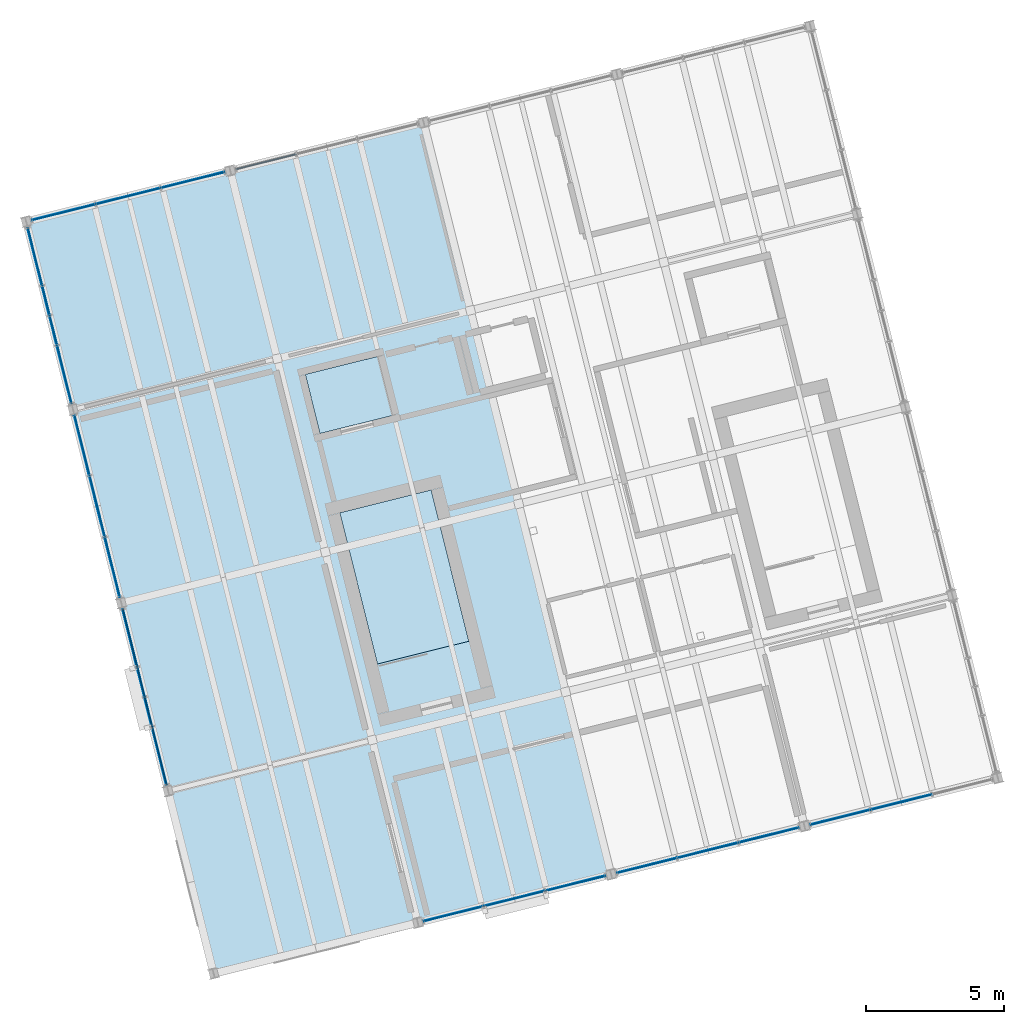
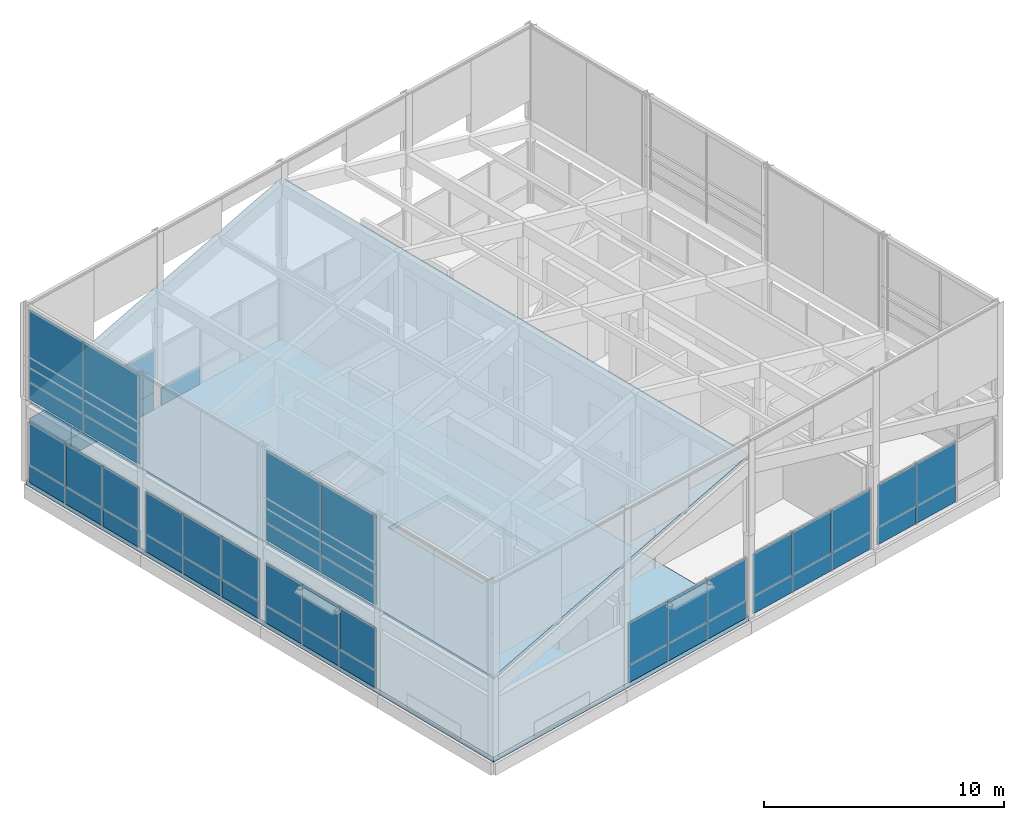
# One storey, part 27 of 31: 49 plates, 2 slabs, 11 elements without a shape of their own.
"""IFC4 building model written with IfcOpenShell, lengths in metres."""

from ifc_helpers import new_model, si_unit, direction, frame, origin, origin_2d, place, context, subcontext, project, spatial, polyline, rectangle, outline, extrude, material, layer, layer_set, type_object, element, aggregate, save


model = new_model("IFC4")

# Units and contexts
model_context = context("Model", 3, precision=1e-05, world=origin(), true_north=direction((0.0, 1.0)))
body_context = subcontext(model_context, "Body", "Model", "MODEL_VIEW")
ifc_project = project(units=[si_unit("LENGTHUNIT", "METRE"), si_unit("AREAUNIT", "SQUARE_METRE"), si_unit("VOLUMEUNIT", "CUBIC_METRE"), si_unit("PLANEANGLEUNIT", "RADIAN"), si_unit("MASSUNIT", "GRAM", prefix="KILO")], contexts=[model_context])

# Site, building, storey
site_placement = place(None, origin())
site = spatial("IfcSite", under=ifc_project, at=site_placement, CompositionType="ELEMENT")
building_placement = place(site_placement, origin())
building = spatial("IfcBuilding", under=site, at=building_placement, Name="Meriwether Solvik Hall", CompositionType="ELEMENT")
storey_placement = place(building_placement, frame((0.0, 0.0, 61.199951171875)))
storey = spatial("IfcBuildingStorey", under=building, at=storey_placement, Name="L15", CompositionType="ELEMENT", Elevation=61.199951171875)

# Curtain wall, plates
ifc_material_1 = material(Name="Thermally Broken Anodised Aluminium 6063-T6 and Low-E Glass", Category="aluminium")
ifc_layer_1 = layer(ifc_material_1, 0.179931640625)
ifc_layer_set_1 = layer_set([ifc_layer_1], Name="Thermally Broken Anodised Aluminium 6063-T6 and Low-E Glass")
curtain_wall_type_1 = type_object("IfcCurtainWallType", Name="CW-UNIT-B", PredefinedType="USERDEFINED", material=ifc_layer_set_1)
curtain_wall_1_placement = place(storey_placement, origin())
curtain_wall_1 = element("IfcCurtainWall", 1, at=curtain_wall_1_placement, inside=storey, type_object=curtain_wall_type_1, Name="Curtain Wall E0_B3 (L15)", ObjectType="UNITISED CURTAIN WALL", PredefinedType="USERDEFINED")
ifc_material_2 = material(Name="Low-Emissivity Double-Glazed Laminated Glass", Category="glass")
ifc_layer_2 = layer(ifc_material_2, 0.031982421875)
ifc_layer_set_2 = layer_set([ifc_layer_2], Name="Low-Emissivity Double-Glazed Laminated Glass")
plate_type_1 = type_object("IfcPlateType", Name="PLT-GLZ-180X185", PredefinedType="CURTAIN_PANEL", material=ifc_layer_set_2)
plate_1_placement = place(storey_placement, frame((93.439453125, 47.393310546875, 0.8798828125), z_axis=(0.0, 0.0, 1.0), x_axis=(-0.970295696551, -0.241922014821, 0.0)))
plate_1 = element("IfcPlate", 2, at=plate_1_placement, type_object=plate_type_1, Name="Low-E Vision Glazing Panel 2", PredefinedType="CURTAIN_PANEL", context=body_context, shape_type="SweptSolid", body=[
    extrude(rectangle(XDim=2.279052734375, YDim=0.033935546875, at=origin_2d()), origin(), (0.0, 0.0, 1.0), 2.162109375),
])
plate_2_placement = place(storey_placement, frame((91.239013671875, 46.844482421875, 0.8798828125), z_axis=(0.0, 0.0, 1.0), x_axis=(-0.970295696551, -0.241922014821, 0.0)))
plate_2 = element("IfcPlate", 3, at=plate_2_placement, type_object=plate_type_1, Name="Low-E Vision Glazing Panel 3", PredefinedType="CURTAIN_PANEL", context=body_context, shape_type="SweptSolid", body=[
    extrude(rectangle(XDim=2.240966796875, YDim=0.033935546875, at=origin_2d()), origin(), (0.0, 0.0, 1.0), 2.162109375),
])

ifc_material_3 = material(Name="Thermally Broken Anodised Aluminium 6063-T6 and Low-E Glass", Category="aluminium")
ifc_layer_3 = layer(ifc_material_3, 0.179931640625)
ifc_layer_set_3 = layer_set([ifc_layer_3], Name="Thermally Broken Anodised Aluminium 6063-T6 and Low-E Glass")
curtain_wall_type_2 = type_object("IfcCurtainWallType", Name="CW-UNIT-E", PredefinedType="USERDEFINED", material=ifc_layer_set_3)
curtain_wall_2_placement = place(storey_placement, origin())
curtain_wall_2 = element("IfcCurtainWall", 4, at=curtain_wall_2_placement, inside=storey, type_object=curtain_wall_type_2, Name="Curtain Wall E3_B3 (L15)", ObjectType="UNITISED CURTAIN WALL", PredefinedType="USERDEFINED")
plate_3_placement = place(storey_placement, frame((63.20556640625, 62.836181640625, 0.8798828125), z_axis=(0.0, 0.0, 1.0), x_axis=(-0.241921784185, 0.970295754055, 0.0)))
plate_3 = element("IfcPlate", 5, at=plate_3_placement, type_object=plate_type_1, Name="Low-E Vision Glazing Panel 1", PredefinedType="CURTAIN_PANEL", context=body_context, shape_type="SweptSolid", body=[
    extrude(rectangle(XDim=2.17431640625, YDim=0.033935546875, at=origin_2d()), origin(), (0.0, 0.0, 1.0), 2.162109375),
])
plate_4_placement = place(storey_placement, frame((62.6728515625, 64.97216796875, 0.8798828125), z_axis=(0.0, 0.0, 1.0), x_axis=(-0.241921784185, 0.970295754055, 0.0)))
plate_4 = element("IfcPlate", 6, at=plate_4_placement, type_object=plate_type_1, Name="Low-E Vision Glazing Panel 2", PredefinedType="CURTAIN_PANEL", context=body_context, shape_type="SweptSolid", body=[
    extrude(rectangle(XDim=2.21240234375, YDim=0.033935546875, at=origin_2d()), origin(), (0.0, 0.0, 1.0), 2.162109375),
])
plate_5_placement = place(storey_placement, frame((62.140380859375, 67.108154296875, 0.8798828125), z_axis=(0.0, 0.0, 1.0), x_axis=(-0.241921784185, 0.970295754055, 0.0)))
plate_5 = element("IfcPlate", 7, at=plate_5_placement, type_object=plate_type_1, Name="Low-E Vision Glazing Panel 3", PredefinedType="CURTAIN_PANEL", context=body_context, shape_type="SweptSolid", body=[
    extrude(rectangle(XDim=2.17431640625, YDim=0.033935546875, at=origin_2d()), origin(), (0.0, 0.0, 1.0), 2.162109375),
])

ifc_material_4 = material(Name="Thermally Broken Anodised Aluminium 6063-T6 and Low-E Glass", Category="aluminium")
ifc_layer_4 = layer(ifc_material_4, 0.179931640625)
ifc_layer_set_4 = layer_set([ifc_layer_4], Name="Thermally Broken Anodised Aluminium 6063-T6 and Low-E Glass")
curtain_wall_type_3 = type_object("IfcCurtainWallType", Name="CW-UNIT-A", PredefinedType="USERDEFINED", material=ifc_layer_set_4)
curtain_wall_3_placement = place(storey_placement, origin())
curtain_wall_3 = element("IfcCurtainWall", 8, at=curtain_wall_3_placement, inside=storey, type_object=curtain_wall_type_3, Name="Curtain Wall E0_B2 (L15)", ObjectType="UNITISED CURTAIN WALL", PredefinedType="USERDEFINED")
ifc_material_5 = material(Name="Low-Emissivity Double-Glazed Laminated Glass", Category="glass")
ifc_layer_5 = layer(ifc_material_5, 0.031982421875)
ifc_layer_set_5 = layer_set([ifc_layer_5], Name="Low-Emissivity Double-Glazed Laminated Glass")
plate_type_2 = type_object("IfcPlateType", Name="PLT-GLZ-195X185", PredefinedType="CURTAIN_PANEL", material=ifc_layer_set_5)
plate_6_placement = place(storey_placement, frame((88.654052734375, 46.199951171875, 0.8798828125), z_axis=(0.0, 0.0, 1.0), x_axis=(-0.970295730764, -0.241921877598, 0.0)))
plate_6 = element("IfcPlate", 9, at=plate_6_placement, type_object=plate_type_2, Name="Low-E Vision Glazing Panel 1", PredefinedType="CURTAIN_PANEL", context=body_context, shape_type="SweptSolid", body=[
    extrude(rectangle(XDim=2.240966796875, YDim=0.033935546875, at=origin_2d()), origin(), (0.0, 0.0, 1.0), 2.162109375),
])
plate_7_placement = place(storey_placement, frame((86.453369140625, 45.6513671875, 0.8798828125), z_axis=(0.0, 0.0, 1.0), x_axis=(-0.970295730764, -0.241921877598, 0.0)))
plate_7 = element("IfcPlate", 10, at=plate_7_placement, type_object=plate_type_2, Name="Low-E Vision Glazing Panel 2", PredefinedType="CURTAIN_PANEL", context=body_context, shape_type="SweptSolid", body=[
    extrude(rectangle(XDim=2.279052734375, YDim=0.033935546875, at=origin_2d()), origin(), (0.0, 0.0, 1.0), 2.162109375),
])
plate_8_placement = place(storey_placement, frame((84.2529296875, 45.102783203125, 0.8798828125), z_axis=(0.0, 0.0, 1.0), x_axis=(-0.970295730764, -0.241921877598, 0.0)))
plate_8 = element("IfcPlate", 11, at=plate_8_placement, type_object=plate_type_2, Name="Low-E Vision Glazing Panel 3", PredefinedType="CURTAIN_PANEL", context=body_context, shape_type="SweptSolid", body=[
    extrude(rectangle(XDim=2.240966796875, YDim=0.033935546875, at=origin_2d()), origin(), (0.0, 0.0, 1.0), 2.162109375),
])

ifc_material_6 = material(Name="Thermally Broken Anodised Aluminium 6063-T6 and Low-E Glass", Category="aluminium")
ifc_layer_6 = layer(ifc_material_6, 0.179931640625)
ifc_layer_set_6 = layer_set([ifc_layer_6], Name="Thermally Broken Anodised Aluminium 6063-T6 and Low-E Glass")
curtain_wall_type_4 = type_object("IfcCurtainWallType", Name="CW-UNIT-D", PredefinedType="USERDEFINED", material=ifc_layer_set_6)
curtain_wall_4_placement = place(storey_placement, origin())
curtain_wall_4 = element("IfcCurtainWall", 12, at=curtain_wall_4_placement, inside=storey, type_object=curtain_wall_type_4, Name="Curtain Wall E3_B2 (L15)", ObjectType="UNITISED CURTAIN WALL", PredefinedType="USERDEFINED")
plate_9_placement = place(storey_placement, frame((64.939208984375, 55.882568359375, 0.8798828125), z_axis=(0.0, 0.0, 1.0), x_axis=(-0.241921877598, 0.970295730764, 0.0)))
plate_9 = element("IfcPlate", 13, at=plate_9_placement, type_object=plate_type_2, Name="Low-E Vision Glazing Panel 1", PredefinedType="CURTAIN_PANEL", context=body_context, shape_type="SweptSolid", body=[
    extrude(rectangle(XDim=2.240966796875, YDim=0.033935546875, at=origin_2d()), origin(), (0.0, 0.0, 1.0), 2.162109375),
])
plate_10_placement = place(storey_placement, frame((64.390625, 58.083251953125, 0.8798828125), z_axis=(0.0, 0.0, 1.0), x_axis=(-0.241921877598, 0.970295730764, 0.0)))
plate_10 = element("IfcPlate", 14, at=plate_10_placement, type_object=plate_type_2, Name="Low-E Vision Glazing Panel 2", PredefinedType="CURTAIN_PANEL", context=body_context, shape_type="SweptSolid", body=[
    extrude(rectangle(XDim=2.279052734375, YDim=0.033935546875, at=origin_2d()), origin(), (0.0, 0.0, 1.0), 2.162109375),
])
plate_11_placement = place(storey_placement, frame((63.841796875, 60.28369140625, 0.8798828125), z_axis=(0.0, 0.0, 1.0), x_axis=(-0.241921877598, 0.970295730764, 0.0)))
plate_11 = element("IfcPlate", 15, at=plate_11_placement, type_object=plate_type_2, Name="Low-E Vision Glazing Panel 3", PredefinedType="CURTAIN_PANEL", context=body_context, shape_type="SweptSolid", body=[
    extrude(rectangle(XDim=2.240966796875, YDim=0.033935546875, at=origin_2d()), origin(), (0.0, 0.0, 1.0), 2.162109375),
])

ifc_material_7 = material(Name="Thermally Broken Anodised Aluminium 6063-T6 and Low-E Glass", Category="aluminium")
ifc_layer_7 = layer(ifc_material_7, 0.179931640625)
ifc_layer_set_7 = layer_set([ifc_layer_7], Name="Thermally Broken Anodised Aluminium 6063-T6 and Low-E Glass")
curtain_wall_type_5 = type_object("IfcCurtainWallType", Name="CW-UNIT-G", PredefinedType="USERDEFINED", material=ifc_layer_set_7)
curtain_wall_5_placement = place(storey_placement, origin())
curtain_wall_5 = element("IfcCurtainWall", 16, at=curtain_wall_5_placement, inside=storey, type_object=curtain_wall_type_5, Name="Curtain Wall E0_B1 (L15)", ObjectType="UNITISED CURTAIN WALL", PredefinedType="USERDEFINED")
ifc_material_8 = material(Name="Low-Emissivity Double-Glazed Laminated Glass", Category="glass")
ifc_layer_8 = layer(ifc_material_8, 0.031982421875)
ifc_layer_set_8 = layer_set([ifc_layer_8], Name="Low-Emissivity Double-Glazed Laminated Glass")
plate_type_3 = type_object("IfcPlateType", Name="PLT-GLZ-210X195", PredefinedType="CURTAIN_PANEL", material=ifc_layer_set_8)
plate_12_placement = place(storey_placement, frame((81.66796875, 44.458251953125, 0.8798828125), z_axis=(0.0, 0.0, 1.0), x_axis=(-0.970295730764, -0.241921877598, 0.0)))
plate_12 = element("IfcPlate", 17, at=plate_12_placement, type_object=plate_type_3, Name="Low-E Vision Glazing Panel 1", PredefinedType="CURTAIN_PANEL", context=body_context, shape_type="SweptSolid", body=[
    extrude(rectangle(XDim=2.240966796875, YDim=0.033935546875, at=origin_2d()), origin(), (0.0, 0.0, 1.0), 2.162109375),
])
plate_13_placement = place(storey_placement, frame((79.46728515625, 43.909423828125, 0.8798828125), z_axis=(0.0, 0.0, 1.0), x_axis=(-0.970295730764, -0.241921877598, 0.0)))
plate_13 = element("IfcPlate", 18, at=plate_13_placement, type_object=plate_type_3, Name="Low-E Vision Glazing Panel 2", PredefinedType="CURTAIN_PANEL", context=body_context, shape_type="SweptSolid", body=[
    extrude(rectangle(XDim=2.279052734375, YDim=0.033935546875, at=origin_2d()), origin(), (0.0, 0.0, 1.0), 2.162109375),
])
plate_14_placement = place(storey_placement, frame((77.2666015625, 43.36083984375, 0.8798828125), z_axis=(0.0, 0.0, 1.0), x_axis=(-0.970295730764, -0.241921877598, 0.0)))
plate_14 = element("IfcPlate", 19, at=plate_14_placement, type_object=plate_type_3, Name="Low-E Vision Glazing Panel 3", PredefinedType="CURTAIN_PANEL", context=body_context, shape_type="SweptSolid", body=[
    extrude(rectangle(XDim=2.240966796875, YDim=0.033935546875, at=origin_2d()), origin(), (0.0, 0.0, 1.0), 2.162109375),
])

ifc_material_9 = material(Name="Thermally Broken Anodised Aluminium 6063-T6 and Low-E Glass", Category="aluminium")
ifc_layer_9 = layer(ifc_material_9, 0.179931640625)
ifc_layer_set_9 = layer_set([ifc_layer_9], Name="Thermally Broken Anodised Aluminium 6063-T6 and Low-E Glass")
curtain_wall_type_6 = type_object("IfcCurtainWallType", Name="CW-UNIT-C", PredefinedType="USERDEFINED", material=ifc_layer_set_9)
curtain_wall_6_placement = place(storey_placement, origin())
curtain_wall_6 = element("IfcCurtainWall", 20, at=curtain_wall_6_placement, inside=storey, type_object=curtain_wall_type_6, Name="Curtain Wall E3_B1 (L15)", ObjectType="UNITISED CURTAIN WALL", PredefinedType="USERDEFINED")
plate_15_placement = place(storey_placement, frame((66.640869140625, 49.05810546875, 0.8798828125), z_axis=(0.0, 0.0, 1.0), x_axis=(-0.241921784185, 0.970295754055, 0.0)))
plate_15 = element("IfcPlate", 21, at=plate_15_placement, type_object=plate_type_3, Name="Low-E Vision Glazing Panel 1", PredefinedType="CURTAIN_PANEL", context=body_context, shape_type="SweptSolid", body=[
    extrude(rectangle(XDim=2.17431640625, YDim=0.033935546875, at=origin_2d()), origin(), (0.0, 0.0, 1.0), 2.162109375),
])
plate_16_placement = place(storey_placement, frame((66.108154296875, 51.194091796875, 0.8798828125), z_axis=(0.0, 0.0, 1.0), x_axis=(-0.241921784185, 0.970295754055, 0.0)))
plate_16 = element("IfcPlate", 22, at=plate_16_placement, type_object=plate_type_3, Name="Low-E Vision Glazing Panel 2", PredefinedType="CURTAIN_PANEL", context=body_context, shape_type="SweptSolid", body=[
    extrude(rectangle(XDim=2.21240234375, YDim=0.033935546875, at=origin_2d()), origin(), (0.0, 0.0, 1.0), 2.162109375),
])
plate_17_placement = place(storey_placement, frame((65.57568359375, 53.330078125, 0.8798828125), z_axis=(0.0, 0.0, 1.0), x_axis=(-0.241921784185, 0.970295754055, 0.0)))
plate_17 = element("IfcPlate", 23, at=plate_17_placement, type_object=plate_type_3, Name="Low-E Vision Glazing Panel 3", PredefinedType="CURTAIN_PANEL", context=body_context, shape_type="SweptSolid", body=[
    extrude(rectangle(XDim=2.17431640625, YDim=0.033935546875, at=origin_2d()), origin(), (0.0, 0.0, 1.0), 2.162109375),
])

curtain_wall_7_placement = place(storey_placement, origin())
curtain_wall_7 = element("IfcCurtainWall", 24, at=curtain_wall_7_placement, inside=storey, type_object=curtain_wall_type_3, Name="Curtain Wall E2_B0 (L15)", ObjectType="UNITISED CURTAIN WALL", PredefinedType="USERDEFINED")
ifc_material_10 = material(Name="Low-Emissivity Double-Glazed Laminated Glass", Category="glass")
ifc_layer_10 = layer(ifc_material_10, 0.031982421875)
ifc_layer_set_10 = layer_set([ifc_layer_10], Name="Low-Emissivity Double-Glazed Laminated Glass")
plate_type_4 = type_object("IfcPlateType", Name="PLT-GLZ-225X195", PredefinedType="CURTAIN_PANEL", material=ifc_layer_set_10)
plate_18_placement = place(storey_placement, frame((63.183349609375, 68.70654296875, 0.8798828125), z_axis=(0.0, 0.0, 1.0), x_axis=(0.970295720361, 0.241921919325, 0.0)))
plate_18 = element("IfcPlate", 25, at=plate_18_placement, type_object=plate_type_4, Name="Low-E Vision Glazing Panel 1", PredefinedType="CURTAIN_PANEL", context=body_context, shape_type="SweptSolid", body=[
    extrude(rectangle(XDim=2.374267578125, YDim=0.033935546875, at=origin_2d()), origin(), (0.0, 0.0, 1.0), 2.162109375),
])
plate_19_placement = place(storey_placement, frame((65.513427734375, 69.28759765625, 0.8798828125), z_axis=(0.0, 0.0, 1.0), x_axis=(0.970295720361, 0.241921919325, 0.0)))
plate_19 = element("IfcPlate", 26, at=plate_19_placement, type_object=plate_type_4, Name="Low-E Vision Glazing Panel 2", PredefinedType="CURTAIN_PANEL", context=body_context, shape_type="SweptSolid", body=[
    extrude(rectangle(XDim=2.412353515625, YDim=0.033935546875, at=origin_2d()), origin(), (0.0, 0.0, 1.0), 2.162109375),
])
plate_20_placement = place(storey_placement, frame((67.84326171875, 69.868408203125, 0.8798828125), z_axis=(0.0, 0.0, 1.0), x_axis=(0.970295720361, 0.241921919325, 0.0)))
plate_20 = element("IfcPlate", 27, at=plate_20_placement, type_object=plate_type_4, Name="Low-E Vision Glazing Panel 3", PredefinedType="CURTAIN_PANEL", context=body_context, shape_type="SweptSolid", body=[
    extrude(rectangle(XDim=2.374267578125, YDim=0.033935546875, at=origin_2d()), origin(), (0.0, 0.0, 1.0), 2.162109375),
])

ifc_material_11 = material(Name="Thermally Broken Anodised Aluminium 6063-T6 and Low-E Glass", Category="aluminium")
ifc_layer_11 = layer(ifc_material_11, 0.179931640625)
ifc_layer_set_11 = layer_set([ifc_layer_11], Name="Thermally Broken Anodised Aluminium 6063-T6 and Low-E Glass")
curtain_wall_type_7 = type_object("IfcCurtainWallType", Name="CW-CROWN-GL", PredefinedType="USERDEFINED", material=ifc_layer_set_11)
curtain_wall_8_placement = place(storey_placement, origin())
curtain_wall_8 = element("IfcCurtainWall", 28, at=curtain_wall_8_placement, inside=storey, type_object=curtain_wall_type_7, Name="Curtain Wall crown_W_1 (L15)", ObjectType="UNITISED CURTAIN WALL", PredefinedType="USERDEFINED")
ifc_material_12 = material(Name="Low-Emissivity Double-Glazed Laminated Glass", Category="glass")
ifc_layer_12 = layer(ifc_material_12, 0.033935546875)
ifc_layer_set_12 = layer_set([ifc_layer_12], Name="Low-Emissivity Double-Glazed Laminated Glass")
plate_type_5 = type_object("IfcPlateType", Name="PLT-GLZ-320X180", PredefinedType="CURTAIN_PANEL", material=ifc_layer_set_12)
plate_21_placement = place(storey_placement, frame((62.277099609375, 66.5595703125, 5.10009765625), z_axis=(0.0, 0.0, 1.0), x_axis=(0.241921749537, -0.970295762694, 0.0)))
plate_21 = element("IfcPlate", 29, at=plate_21_placement, type_object=plate_type_5, Name="Low-E Vision Glazing Panel 1", PredefinedType="CURTAIN_PANEL", context=body_context, shape_type="SweptSolid", body=[
    extrude(rectangle(XDim=3.263916015625, YDim=0.033935546875, at=origin_2d()), origin(), (0.0, 0.0, 1.0), 3.68994140625),
])
plate_22_placement = place(storey_placement, frame((63.068603515625, 63.384765625, 5.10009765625), z_axis=(0.0, 0.0, 1.0), x_axis=(0.241921749537, -0.970295762694, 0.0)))
plate_22 = element("IfcPlate", 30, at=plate_22_placement, type_object=plate_type_5, Name="Low-E Vision Glazing Panel 2", PredefinedType="CURTAIN_PANEL", context=body_context, shape_type="SweptSolid", body=[
    extrude(rectangle(XDim=3.263916015625, YDim=0.033935546875, at=origin_2d()), origin(), (0.0, 0.0, 1.0), 3.68994140625),
])

curtain_wall_9_placement = place(storey_placement, origin())
curtain_wall_9 = element("IfcCurtainWall", 31, at=curtain_wall_9_placement, inside=storey, type_object=curtain_wall_type_7, Name="Curtain Wall crown_W_3 (L15)", ObjectType="UNITISED CURTAIN WALL", PredefinedType="USERDEFINED")
plate_23_placement = place(storey_placement, frame((65.71240234375, 52.781494140625, 5.10009765625), z_axis=(0.0, 0.0, 1.0), x_axis=(0.241923171709, -0.970295408105, 0.0)))
plate_23 = element("IfcPlate", 32, at=plate_23_placement, type_object=plate_type_5, Name="Low-E Vision Glazing Panel 1", PredefinedType="CURTAIN_PANEL", context=body_context, shape_type="SweptSolid", body=[
    extrude(rectangle(XDim=3.263916015625, YDim=0.033935546875, at=origin_2d()), origin(), (0.0, 0.0, 1.0), 3.68994140625),
])
plate_24_placement = place(storey_placement, frame((66.50390625, 49.606689453125, 5.10009765625), z_axis=(0.0, 0.0, 1.0), x_axis=(0.241923171709, -0.970295408105, 0.0)))
plate_24 = element("IfcPlate", 33, at=plate_24_placement, type_object=plate_type_5, Name="Low-E Vision Glazing Panel 2", PredefinedType="CURTAIN_PANEL", context=body_context, shape_type="SweptSolid", body=[
    extrude(rectangle(XDim=3.263916015625, YDim=0.033935546875, at=origin_2d()), origin(), (0.0, 0.0, 1.0), 3.68994140625),
])

# Plate
ifc_material_13 = material(Name="Mineral-Wool Insulated Anodised Aluminium 6063-T6", Category="aluminium")
ifc_layer_13 = layer(ifc_material_13, 0.044921875)
ifc_layer_set_13 = layer_set([ifc_layer_13], Name="Mineral-Wool Insulated Anodised Aluminium 6063-T6")
plate_type_6 = type_object("IfcPlateType", Name="PLT-SPN-200X085", PredefinedType="CURTAIN_PANEL", material=ifc_layer_set_13)
plate_25_placement = place(storey_placement, frame((81.66796875, 44.458251953125, 0.0), z_axis=(0.0, 0.0, 1.0), x_axis=(-0.970295730764, -0.241921877598, 0.0)))
plate_25 = element("IfcPlate", 34, at=plate_25_placement, type_object=plate_type_6, Name="Insulated Spandrel Panel 1", PredefinedType="CURTAIN_PANEL", context=body_context, shape_type="SweptSolid", body=[
    extrude(rectangle(XDim=2.240966796875, YDim=0.044921875, at=origin_2d()), origin(), (0.0, 0.0, 1.0), 0.8798828125),
])

plate_26_placement = place(storey_placement, frame((79.46728515625, 43.909423828125, 0.0), z_axis=(0.0, 0.0, 1.0), x_axis=(-0.970295730764, -0.241921877598, 0.0)))
plate_26 = element("IfcPlate", 35, at=plate_26_placement, type_object=plate_type_6, Name="Insulated Spandrel Panel 2", PredefinedType="CURTAIN_PANEL", context=body_context, shape_type="SweptSolid", body=[
    extrude(rectangle(XDim=2.279052734375, YDim=0.044921875, at=origin_2d()), origin(), (0.0, 0.0, 1.0), 0.8798828125),
])

plate_27_placement = place(storey_placement, frame((77.2666015625, 43.36083984375, 0.0), z_axis=(0.0, 0.0, 1.0), x_axis=(-0.970295730764, -0.241921877598, 0.0)))
plate_27 = element("IfcPlate", 36, at=plate_27_placement, type_object=plate_type_6, Name="Insulated Spandrel Panel 3", PredefinedType="CURTAIN_PANEL", context=body_context, shape_type="SweptSolid", body=[
    extrude(rectangle(XDim=2.240966796875, YDim=0.044921875, at=origin_2d()), origin(), (0.0, 0.0, 1.0), 0.8798828125),
])

aggregate(curtain_wall_5, [plate_25, plate_12, plate_26, plate_13, plate_27, plate_14])

plate_28_placement = place(storey_placement, frame((88.654052734375, 46.199951171875, 0.0), z_axis=(0.0, 0.0, 1.0), x_axis=(-0.970295730764, -0.241921877598, 0.0)))
plate_28 = element("IfcPlate", 37, at=plate_28_placement, type_object=plate_type_6, Name="Insulated Spandrel Panel 1", PredefinedType="CURTAIN_PANEL", context=body_context, shape_type="SweptSolid", body=[
    extrude(rectangle(XDim=2.240966796875, YDim=0.044921875, at=origin_2d()), origin(), (0.0, 0.0, 1.0), 0.8798828125),
])

plate_29_placement = place(storey_placement, frame((86.453369140625, 45.6513671875, 0.0), z_axis=(0.0, 0.0, 1.0), x_axis=(-0.970295730764, -0.241921877598, 0.0)))
plate_29 = element("IfcPlate", 38, at=plate_29_placement, type_object=plate_type_6, Name="Insulated Spandrel Panel 2", PredefinedType="CURTAIN_PANEL", context=body_context, shape_type="SweptSolid", body=[
    extrude(rectangle(XDim=2.279052734375, YDim=0.044921875, at=origin_2d()), origin(), (0.0, 0.0, 1.0), 0.8798828125),
])

plate_30_placement = place(storey_placement, frame((84.2529296875, 45.102783203125, 0.0), z_axis=(0.0, 0.0, 1.0), x_axis=(-0.970295730764, -0.241921877598, 0.0)))
plate_30 = element("IfcPlate", 39, at=plate_30_placement, type_object=plate_type_6, Name="Insulated Spandrel Panel 3", PredefinedType="CURTAIN_PANEL", context=body_context, shape_type="SweptSolid", body=[
    extrude(rectangle(XDim=2.240966796875, YDim=0.044921875, at=origin_2d()), origin(), (0.0, 0.0, 1.0), 0.8798828125),
])

aggregate(curtain_wall_3, [plate_28, plate_6, plate_29, plate_7, plate_30, plate_8])

plate_31_placement = place(storey_placement, frame((93.439453125, 47.393310546875, 0.0), z_axis=(0.0, 0.0, 1.0), x_axis=(-0.970295696551, -0.241922014821, 0.0)))
plate_31 = element("IfcPlate", 40, at=plate_31_placement, type_object=plate_type_6, Name="Insulated Spandrel Panel 2", PredefinedType="CURTAIN_PANEL", context=body_context, shape_type="SweptSolid", body=[
    extrude(rectangle(XDim=2.279052734375, YDim=0.044921875, at=origin_2d()), origin(), (0.0, 0.0, 1.0), 0.8798828125),
])

plate_32_placement = place(storey_placement, frame((91.239013671875, 46.844482421875, 0.0), z_axis=(0.0, 0.0, 1.0), x_axis=(-0.970295696551, -0.241922014821, 0.0)))
plate_32 = element("IfcPlate", 41, at=plate_32_placement, type_object=plate_type_6, Name="Insulated Spandrel Panel 3", PredefinedType="CURTAIN_PANEL", context=body_context, shape_type="SweptSolid", body=[
    extrude(rectangle(XDim=2.240966796875, YDim=0.044921875, at=origin_2d()), origin(), (0.0, 0.0, 1.0), 0.8798828125),
])

aggregate(curtain_wall_1, [plate_31, plate_1, plate_32, plate_2])

plate_33_placement = place(storey_placement, frame((63.183349609375, 68.70654296875, 0.0), z_axis=(0.0, 0.0, 1.0), x_axis=(0.970295720361, 0.241921919325, 0.0)))
plate_33 = element("IfcPlate", 42, at=plate_33_placement, type_object=plate_type_6, Name="Insulated Spandrel Panel 1", PredefinedType="CURTAIN_PANEL", context=body_context, shape_type="SweptSolid", body=[
    extrude(rectangle(XDim=2.374267578125, YDim=0.044921875, at=origin_2d()), origin(), (0.0, 0.0, 1.0), 0.8798828125),
])

plate_34_placement = place(storey_placement, frame((65.513427734375, 69.28759765625, 0.0), z_axis=(0.0, 0.0, 1.0), x_axis=(0.970295720361, 0.241921919325, 0.0)))
plate_34 = element("IfcPlate", 43, at=plate_34_placement, type_object=plate_type_6, Name="Insulated Spandrel Panel 2", PredefinedType="CURTAIN_PANEL", context=body_context, shape_type="SweptSolid", body=[
    extrude(rectangle(XDim=2.412353515625, YDim=0.044921875, at=origin_2d()), origin(), (0.0, 0.0, 1.0), 0.8798828125),
])

plate_35_placement = place(storey_placement, frame((67.84326171875, 69.868408203125, 0.0), z_axis=(0.0, 0.0, 1.0), x_axis=(0.970295720361, 0.241921919325, 0.0)))
plate_35 = element("IfcPlate", 44, at=plate_35_placement, type_object=plate_type_6, Name="Insulated Spandrel Panel 3", PredefinedType="CURTAIN_PANEL", context=body_context, shape_type="SweptSolid", body=[
    extrude(rectangle(XDim=2.374267578125, YDim=0.044921875, at=origin_2d()), origin(), (0.0, 0.0, 1.0), 0.8798828125),
])

aggregate(curtain_wall_7, [plate_33, plate_18, plate_34, plate_19, plate_35, plate_20])

# Curtain wall, plate
curtain_wall_10_placement = place(storey_placement, origin())
curtain_wall_10 = element("IfcCurtainWall", 45, at=curtain_wall_10_placement, inside=storey, type_object=curtain_wall_type_1, Name="Curtain Wall E2_B1 (L15)", ObjectType="UNITISED CURTAIN WALL", PredefinedType="USERDEFINED")
plate_36_placement = place(storey_placement, frame((70.492919921875, 70.529052734375, 0.0), z_axis=(0.0, 0.0, 1.0), x_axis=(0.970295730764, 0.241921877598, 0.0)))
plate_36 = element("IfcPlate", 46, at=plate_36_placement, type_object=plate_type_6, Name="Insulated Spandrel Panel 1", PredefinedType="CURTAIN_PANEL", context=body_context, shape_type="SweptSolid", body=[
    extrude(rectangle(XDim=2.240966796875, YDim=0.044921875, at=origin_2d()), origin(), (0.0, 0.0, 1.0), 0.8798828125),
])
aggregate(curtain_wall_10, [plate_36])

# Plate
plate_37_placement = place(storey_placement, frame((66.640869140625, 49.05810546875, 0.0), z_axis=(0.0, 0.0, 1.0), x_axis=(-0.241921784185, 0.970295754055, 0.0)))
plate_37 = element("IfcPlate", 47, at=plate_37_placement, type_object=plate_type_6, Name="Insulated Spandrel Panel 1", PredefinedType="CURTAIN_PANEL", context=body_context, shape_type="SweptSolid", body=[
    extrude(rectangle(XDim=2.17431640625, YDim=0.044921875, at=origin_2d()), origin(), (0.0, 0.0, 1.0), 0.8798828125),
])

plate_38_placement = place(storey_placement, frame((66.108154296875, 51.194091796875, 0.0), z_axis=(0.0, 0.0, 1.0), x_axis=(-0.241921784185, 0.970295754055, 0.0)))
plate_38 = element("IfcPlate", 48, at=plate_38_placement, type_object=plate_type_6, Name="Insulated Spandrel Panel 2", PredefinedType="CURTAIN_PANEL", context=body_context, shape_type="SweptSolid", body=[
    extrude(rectangle(XDim=2.21240234375, YDim=0.044921875, at=origin_2d()), origin(), (0.0, 0.0, 1.0), 0.8798828125),
])

plate_39_placement = place(storey_placement, frame((65.57568359375, 53.330078125, 0.0), z_axis=(0.0, 0.0, 1.0), x_axis=(-0.241921784185, 0.970295754055, 0.0)))
plate_39 = element("IfcPlate", 49, at=plate_39_placement, type_object=plate_type_6, Name="Insulated Spandrel Panel 3", PredefinedType="CURTAIN_PANEL", context=body_context, shape_type="SweptSolid", body=[
    extrude(rectangle(XDim=2.17431640625, YDim=0.044921875, at=origin_2d()), origin(), (0.0, 0.0, 1.0), 0.8798828125),
])

aggregate(curtain_wall_6, [plate_37, plate_15, plate_38, plate_16, plate_39, plate_17])

plate_40_placement = place(storey_placement, frame((64.939208984375, 55.882568359375, 0.0), z_axis=(0.0, 0.0, 1.0), x_axis=(-0.241921877598, 0.970295730764, 0.0)))
plate_40 = element("IfcPlate", 50, at=plate_40_placement, type_object=plate_type_6, Name="Insulated Spandrel Panel 1", PredefinedType="CURTAIN_PANEL", context=body_context, shape_type="SweptSolid", body=[
    extrude(rectangle(XDim=2.240966796875, YDim=0.044921875, at=origin_2d()), origin(), (0.0, 0.0, 1.0), 0.8798828125),
])

plate_41_placement = place(storey_placement, frame((64.390625, 58.083251953125, 0.0), z_axis=(0.0, 0.0, 1.0), x_axis=(-0.241921877598, 0.970295730764, 0.0)))
plate_41 = element("IfcPlate", 51, at=plate_41_placement, type_object=plate_type_6, Name="Insulated Spandrel Panel 2", PredefinedType="CURTAIN_PANEL", context=body_context, shape_type="SweptSolid", body=[
    extrude(rectangle(XDim=2.279052734375, YDim=0.044921875, at=origin_2d()), origin(), (0.0, 0.0, 1.0), 0.8798828125),
])

plate_42_placement = place(storey_placement, frame((63.841796875, 60.28369140625, 0.0), z_axis=(0.0, 0.0, 1.0), x_axis=(-0.241921877598, 0.970295730764, 0.0)))
plate_42 = element("IfcPlate", 52, at=plate_42_placement, type_object=plate_type_6, Name="Insulated Spandrel Panel 3", PredefinedType="CURTAIN_PANEL", context=body_context, shape_type="SweptSolid", body=[
    extrude(rectangle(XDim=2.240966796875, YDim=0.044921875, at=origin_2d()), origin(), (0.0, 0.0, 1.0), 0.8798828125),
])

aggregate(curtain_wall_4, [plate_40, plate_9, plate_41, plate_10, plate_42, plate_11])

plate_43_placement = place(storey_placement, frame((63.20556640625, 62.836181640625, 0.0), z_axis=(0.0, 0.0, 1.0), x_axis=(-0.241921784185, 0.970295754055, 0.0)))
plate_43 = element("IfcPlate", 53, at=plate_43_placement, type_object=plate_type_6, Name="Insulated Spandrel Panel 1", PredefinedType="CURTAIN_PANEL", context=body_context, shape_type="SweptSolid", body=[
    extrude(rectangle(XDim=2.17431640625, YDim=0.044921875, at=origin_2d()), origin(), (0.0, 0.0, 1.0), 0.8798828125),
])

plate_44_placement = place(storey_placement, frame((62.6728515625, 64.97216796875, 0.0), z_axis=(0.0, 0.0, 1.0), x_axis=(-0.241921784185, 0.970295754055, 0.0)))
plate_44 = element("IfcPlate", 54, at=plate_44_placement, type_object=plate_type_6, Name="Insulated Spandrel Panel 2", PredefinedType="CURTAIN_PANEL", context=body_context, shape_type="SweptSolid", body=[
    extrude(rectangle(XDim=2.21240234375, YDim=0.044921875, at=origin_2d()), origin(), (0.0, 0.0, 1.0), 0.8798828125),
])

plate_45_placement = place(storey_placement, frame((62.140380859375, 67.108154296875, 0.0), z_axis=(0.0, 0.0, 1.0), x_axis=(-0.241921784185, 0.970295754055, 0.0)))
plate_45 = element("IfcPlate", 55, at=plate_45_placement, type_object=plate_type_6, Name="Insulated Spandrel Panel 3", PredefinedType="CURTAIN_PANEL", context=body_context, shape_type="SweptSolid", body=[
    extrude(rectangle(XDim=2.17431640625, YDim=0.044921875, at=origin_2d()), origin(), (0.0, 0.0, 1.0), 0.8798828125),
])

aggregate(curtain_wall_2, [plate_43, plate_3, plate_44, plate_4, plate_45, plate_5])

plate_46_placement = place(storey_placement, frame((62.277099609375, 66.5595703125, 4.22021484375), z_axis=(0.0, 0.0, 1.0), x_axis=(0.241921749537, -0.970295762694, 0.0)))
plate_46 = element("IfcPlate", 56, at=plate_46_placement, type_object=plate_type_6, Name="Insulated Spandrel Panel 1", PredefinedType="CURTAIN_PANEL", context=body_context, shape_type="SweptSolid", body=[
    extrude(rectangle(XDim=3.263916015625, YDim=0.044921875, at=origin_2d()), origin(), (0.0, 0.0, 1.0), 0.8798828125),
])

plate_47_placement = place(storey_placement, frame((63.068603515625, 63.384765625, 4.22021484375), z_axis=(0.0, 0.0, 1.0), x_axis=(0.241921749537, -0.970295762694, 0.0)))
plate_47 = element("IfcPlate", 57, at=plate_47_placement, type_object=plate_type_6, Name="Insulated Spandrel Panel 2", PredefinedType="CURTAIN_PANEL", context=body_context, shape_type="SweptSolid", body=[
    extrude(rectangle(XDim=3.263916015625, YDim=0.044921875, at=origin_2d()), origin(), (0.0, 0.0, 1.0), 0.8798828125),
])

aggregate(curtain_wall_8, [plate_46, plate_21, plate_47, plate_22])

plate_48_placement = place(storey_placement, frame((65.71240234375, 52.781494140625, 4.22021484375), z_axis=(0.0, 0.0, 1.0), x_axis=(0.241923171709, -0.970295408105, 0.0)))
plate_48 = element("IfcPlate", 58, at=plate_48_placement, type_object=plate_type_6, Name="Insulated Spandrel Panel 1", PredefinedType="CURTAIN_PANEL", context=body_context, shape_type="SweptSolid", body=[
    extrude(rectangle(XDim=3.263916015625, YDim=0.044921875, at=origin_2d()), origin(), (0.0, 0.0, 1.0), 0.8798828125),
])

plate_49_placement = place(storey_placement, frame((66.50390625, 49.606689453125, 4.22021484375), z_axis=(0.0, 0.0, 1.0), x_axis=(0.241923171709, -0.970295408105, 0.0)))
plate_49 = element("IfcPlate", 59, at=plate_49_placement, type_object=plate_type_6, Name="Insulated Spandrel Panel 2", PredefinedType="CURTAIN_PANEL", context=body_context, shape_type="SweptSolid", body=[
    extrude(rectangle(XDim=3.263916015625, YDim=0.044921875, at=origin_2d()), origin(), (0.0, 0.0, 1.0), 0.8798828125),
])

aggregate(curtain_wall_9, [plate_48, plate_23, plate_49, plate_24])

# Slab
ifc_material_14 = material(Name="Cross-Laminated Timber PRG 320 E1", Category="wood")
ifc_layer_14 = layer(ifc_material_14, 0.2451171875)
ifc_layer_set_14 = layer_set([ifc_layer_14], Name="Cross-Laminated Timber PRG 320 E1")
slab_type_1 = type_object("IfcSlabType", Name="SLB-CLT-245", PredefinedType="FLOOR", material=ifc_layer_set_14)
slab_1_placement = place(storey_placement, frame((0.0, 0.0, -0.244873046875)))
element("IfcSlab", 60, at=slab_1_placement, inside=storey, type_object=slab_type_1, Name="L15 Mass-Timber CLT Floor W", PredefinedType="FLOOR", context=body_context, shape_type="SweptSolid", body=[
    extrude(outline(polyline([(76.18359375, 71.947998046875), (82.95751953125, 44.77978515625), (68.60009765625, 41.199951171875), (61.826171875, 68.3681640625), (76.18359375, 71.947998046875)]), holes=[polyline([(73.157958984375, 57.84716796875), (74.5205078125, 52.382568359375), (77.819580078125, 53.205078125), (76.45703125, 58.669677734375), (73.157958984375, 57.84716796875)]), polyline([(71.912109375, 62.84423828125), (72.4443359375, 60.70947265625), (75.064208984375, 61.36279296875), (74.531982421875, 63.497314453125), (71.912109375, 62.84423828125)])]), origin(), (0.0, 0.0, 1.0), 0.244873046875),
])

# Roof, slab
ifc_material_15 = material(Name="Cross-Laminated Timber PRG 320 E1", Category="wood")
ifc_layer_15 = layer(ifc_material_15, 0.2451171875)
ifc_layer_set_15 = layer_set([ifc_layer_15], Name="Cross-Laminated Timber PRG 320 E1")
roof_type = type_object("IfcRoofType", Name="ROOF-SHED-CLT", PredefinedType="SHED_ROOF", material=ifc_layer_set_15)
roof_placement = place(storey_placement, origin())
roof = element("IfcRoof", 61, at=roof_placement, inside=storey, type_object=roof_type, Name="Tower Crown Sloped Roof West", PredefinedType="SHED_ROOF")
ifc_material_16 = material(Name="Cross-Laminated Timber PRG 320 E1", Category="wood")
ifc_layer_16 = layer(ifc_material_16, 0.159912109375)
ifc_layer_set_16 = layer_set([ifc_layer_16], Name="Cross-Laminated Timber PRG 320 E1")
slab_type_2 = type_object("IfcSlabType", Name="SLB-ROOF-160", PredefinedType="ROOF", material=ifc_layer_set_16)
slab_2_placement = place(storey_placement, frame((68.60009765625, 41.199951171875, 4.10009765625), z_axis=(-0.259032941598, -0.0645854009, 0.96370672985), x_axis=(0.935078555213, 0.233149644521, 0.266963178811)))
slab_2 = element("IfcSlab", 62, at=slab_2_placement, type_object=slab_type_2, Name="Tower Sloped CLT Roof Facet West", PredefinedType="ROOF", context=body_context, shape_type="SweptSolid", body=[
    extrude(outline(polyline([(0.0, 0.0), (15.357374503402099, 8.468635406648495e-18), (15.357480948484055, 27.99996182406103), (0.00010644508195412072, 27.999961824061035), (0.0, 0.0)])), origin(), (0.0, 0.0, -1.0), 0.159912109375),
])
aggregate(roof, [slab_2])

save(model, "model.ifc")
